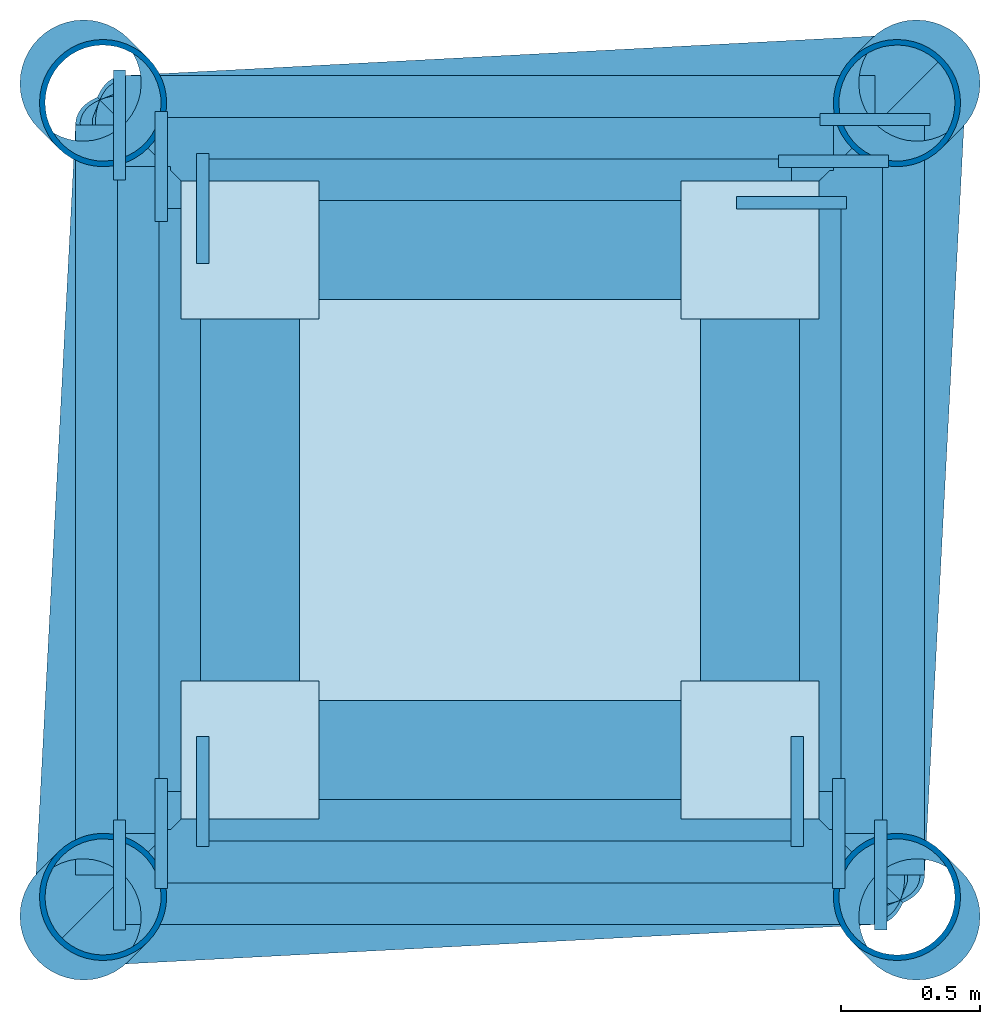
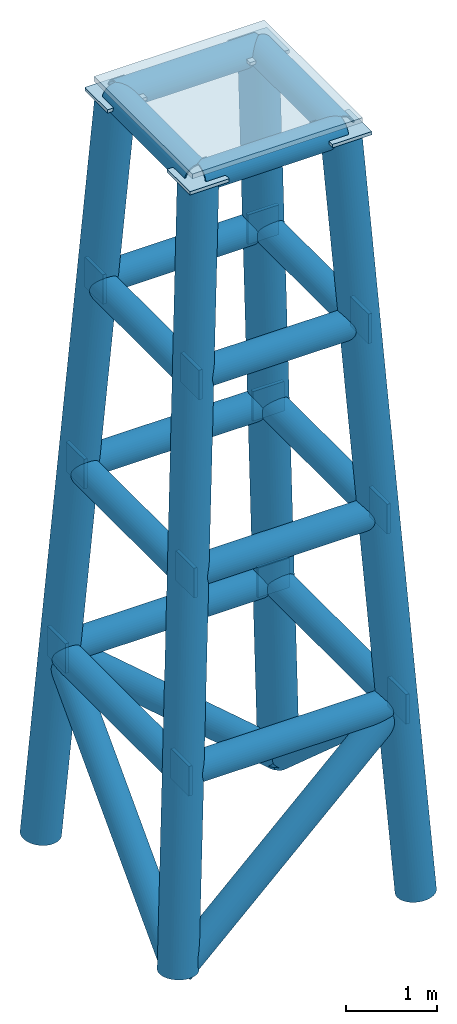
# One storey: 17 plates, 16 beams, 4 columns, 4 members.
"""IFC4 building model written with IfcOpenShell, lengths in metres."""

from ifc_helpers import new_model, si_unit, direction, frame, origin, origin_2d, place, context, subcontext, project, spatial, rectangle, hollow_circle, extrude, material, layer, layer_set, material_profile, profile_set, type_object, element, save


model = new_model("IFC4")

# Units and contexts
model_context = context("Model", 3, precision=1e-05, world=origin(), true_north=direction((0.0, 1.0)))
body_context = subcontext(model_context, "Body", "Model", "MODEL_VIEW")
ifc_project = project(units=[si_unit("LENGTHUNIT", "METRE"), si_unit("AREAUNIT", "SQUARE_METRE"), si_unit("VOLUMEUNIT", "CUBIC_METRE"), si_unit("PLANEANGLEUNIT", "RADIAN"), si_unit("MASSUNIT", "GRAM", prefix="KILO")], contexts=[model_context])

# Site, building, storey
site_placement = place(None, origin())
site = spatial("IfcSite", under=ifc_project, at=site_placement, CompositionType="ELEMENT")
building_placement = place(site_placement, origin())
building = spatial("IfcBuilding", under=site, at=building_placement, Name="Cobrela Telecom Tower", CompositionType="ELEMENT")
storey_placement = place(building_placement, frame((0.0, 0.0, 325.199951171875)))
storey = spatial("IfcBuildingStorey", under=building, at=storey_placement, Name="RF-M2", CompositionType="ELEMENT", Elevation=325.199951171875)

# Columns
ifc_material = material(Name="Steel ASTM A572 Grade 50", Category="steel")
ifc_material_profile_1 = material_profile(ifc_material, hollow_circle(Radius=0.228515625, WallThickness=0.02001953125, at=origin_2d()), Name="CHS 457x20")
ifc_profile_set_1 = profile_set([ifc_material_profile_1], Name="Steel ASTM A572 Grade 50")
column_type = type_object("IfcColumnType", Name="COL-MAST-HI", PredefinedType="COLUMN", material=ifc_profile_set_1)
for number, where, z_axis, x_axis, name in (
    (1, (5.699951171875, 20.10009765625, 0.0), (0.059794907486, 0.059770580836, 0.99641961377), (-0.706962899457, 0.707250633645, 0.0), "RF-M2 Broadcast Lattice Mast Leg 1"),
    (2, (8.699951171875, 20.10009765625, 0.0), (-0.059770667761, 0.059770667761, 0.99642106288), (-0.707106781187, -0.707106781187, 0.0), "RF-M2 Broadcast Lattice Mast Leg 2"),
    (3, (8.699951171875, 23.10009765625, 0.0), (-0.059770580836, -0.059794907486, 0.99641961377), (0.707250633645, -0.706962899457, 0.0), "RF-M2 Broadcast Lattice Mast Leg 3"),
    (4, (5.699951171875, 23.10009765625, 0.0), (0.059794820526, -0.059794820526, 0.996418164666), (0.707106781187, 0.707106781187, 0.0), "RF-M2 Broadcast Lattice Mast Leg 4"),
):
    element("IfcColumn", number, at=place(storey_placement, frame(where, z_axis=z_axis, x_axis=x_axis)), inside=storey, type_object=column_type, Name=name, PredefinedType="COLUMN", context=body_context, shape_type="SweptSolid", body=[
        extrude(hollow_circle(Radius=0.228515625, WallThickness=0.02001953125, at=origin_2d()), origin(), (0.0, 0.0, 1.0), 10.035888671875),
    ])

# Beams
ifc_material_profile_2 = material_profile(ifc_material, hollow_circle(Radius=0.177978515625, WallThickness=0.01611328125, at=origin_2d()), Name="CHS 356x16")
ifc_profile_set_2 = profile_set([ifc_material_profile_2], Name="Steel ASTM A572 Grade 50")
beam_type = type_object("IfcBeamType", Name="BM-MAST-RING", PredefinedType="BEAM", material=ifc_profile_set_2)
for number, where, z_axis, x_axis, name in (
    (5, (5.85009765625, 20.25, 2.5), (1.0, 0.0, 0.0), (0.0, 1.0, 0.0), "RF-M2 Broadcast Lattice Mast Ring 1.1"),
    (6, (8.550048828125, 20.25, 2.5), (0.0, 1.0, 0.0), (-1.0, 0.0, 0.0), "RF-M2 Broadcast Lattice Mast Ring 1.2"),
    (7, (8.550048828125, 22.949951171875, 2.5), (-1.0, 0.0, 0.0), (0.0, -1.0, 0.0), "RF-M2 Broadcast Lattice Mast Ring 1.3"),
    (8, (5.85009765625, 22.949951171875, 2.5), (0.0, -1.0, 0.0), (1.0, 0.0, 0.0), "RF-M2 Broadcast Lattice Mast Ring 1.4"),
):
    element("IfcBeam", number, at=place(storey_placement, frame(where, z_axis=z_axis, x_axis=x_axis)), inside=storey, type_object=beam_type, Name=name, PredefinedType="BEAM", context=body_context, shape_type="SweptSolid", body=[
        extrude(hollow_circle(Radius=0.177978515625, WallThickness=0.01611328125, at=origin_2d()), origin(), (0.0, 0.0, 1.0), 2.699951171875),
    ])
beam_1_placement = place(storey_placement, frame((6.0, 20.39990234375, 5.0), z_axis=(1.0, 0.0, 0.0), x_axis=(0.0, 1.0, 0.0)))
element("IfcBeam", 9, at=beam_1_placement, inside=storey, type_object=beam_type, Name="RF-M2 Broadcast Lattice Mast Ring 2.1", PredefinedType="BEAM", context=body_context, shape_type="SweptSolid", body=[
    extrude(hollow_circle(Radius=0.177978515625, WallThickness=0.01611328125, at=origin_2d()), origin(), (0.0, 0.0, 1.0), 2.39990234375),
])
beam_2_placement = place(storey_placement, frame((8.39990234375, 20.39990234375, 5.0), z_axis=(0.0, 1.0, 0.0), x_axis=(-1.0, 0.0, 0.0)))
element("IfcBeam", 10, at=beam_2_placement, inside=storey, type_object=beam_type, Name="RF-M2 Broadcast Lattice Mast Ring 2.2", PredefinedType="BEAM", context=body_context, shape_type="SweptSolid", body=[
    extrude(hollow_circle(Radius=0.177978515625, WallThickness=0.01611328125, at=origin_2d()), origin(), (0.0, 0.0, 1.0), 2.400146484375),
])
beam_3_placement = place(storey_placement, frame((8.39990234375, 22.800048828125, 5.0), z_axis=(-1.0, 0.0, 0.0), x_axis=(0.0, -1.0, 0.0)))
element("IfcBeam", 11, at=beam_3_placement, inside=storey, type_object=beam_type, Name="RF-M2 Broadcast Lattice Mast Ring 2.3", PredefinedType="BEAM", context=body_context, shape_type="SweptSolid", body=[
    extrude(hollow_circle(Radius=0.177978515625, WallThickness=0.01611328125, at=origin_2d()), origin(), (0.0, 0.0, 1.0), 2.39990234375),
])
beam_4_placement = place(storey_placement, frame((6.0, 22.800048828125, 5.0), z_axis=(0.0, -1.0, 0.0), x_axis=(1.0, 0.0, 0.0)))
element("IfcBeam", 12, at=beam_4_placement, inside=storey, type_object=beam_type, Name="RF-M2 Broadcast Lattice Mast Ring 2.4", PredefinedType="BEAM", context=body_context, shape_type="SweptSolid", body=[
    extrude(hollow_circle(Radius=0.177978515625, WallThickness=0.01611328125, at=origin_2d()), origin(), (0.0, 0.0, 1.0), 2.400146484375),
])
beam_5_placement = place(storey_placement, frame((6.14990234375, 20.550048828125, 7.5), z_axis=(1.0, 0.0, 0.0), x_axis=(0.0, 1.0, 0.0)))
element("IfcBeam", 13, at=beam_5_placement, inside=storey, type_object=beam_type, Name="RF-M2 Broadcast Lattice Mast Ring 3.1", PredefinedType="BEAM", context=body_context, shape_type="SweptSolid", body=[
    extrude(hollow_circle(Radius=0.177978515625, WallThickness=0.01611328125, at=origin_2d()), origin(), (0.0, 0.0, 1.0), 2.10009765625),
])
beam_6_placement = place(storey_placement, frame((8.25, 20.550048828125, 7.5), z_axis=(0.0, 1.0, 0.0), x_axis=(-1.0, 0.0, 0.0)))
element("IfcBeam", 14, at=beam_6_placement, inside=storey, type_object=beam_type, Name="RF-M2 Broadcast Lattice Mast Ring 3.2", PredefinedType="BEAM", context=body_context, shape_type="SweptSolid", body=[
    extrude(hollow_circle(Radius=0.177978515625, WallThickness=0.01611328125, at=origin_2d()), origin(), (0.0, 0.0, 1.0), 2.099853515625),
])
beam_7_placement = place(storey_placement, frame((8.25, 22.64990234375, 7.5), z_axis=(-1.0, 0.0, 0.0), x_axis=(0.0, -1.0, 0.0)))
element("IfcBeam", 15, at=beam_7_placement, inside=storey, type_object=beam_type, Name="RF-M2 Broadcast Lattice Mast Ring 3.3", PredefinedType="BEAM", context=body_context, shape_type="SweptSolid", body=[
    extrude(hollow_circle(Radius=0.177978515625, WallThickness=0.01611328125, at=origin_2d()), origin(), (0.0, 0.0, 1.0), 2.10009765625),
])
beam_8_placement = place(storey_placement, frame((6.14990234375, 22.64990234375, 7.5), z_axis=(0.0, -1.0, 0.0), x_axis=(1.0, 0.0, 0.0)))
element("IfcBeam", 16, at=beam_8_placement, inside=storey, type_object=beam_type, Name="RF-M2 Broadcast Lattice Mast Ring 3.4", PredefinedType="BEAM", context=body_context, shape_type="SweptSolid", body=[
    extrude(hollow_circle(Radius=0.177978515625, WallThickness=0.01611328125, at=origin_2d()), origin(), (0.0, 0.0, 1.0), 2.099853515625),
])
for number, where, z_axis, x_axis, name in (
    (17, (6.300048828125, 20.699951171875, 10.0), (1.0, 0.0, 0.0), (0.0, 1.0, 0.0), "RF-M2 Broadcast Lattice Mast Ring 4.1"),
    (18, (8.10009765625, 20.699951171875, 10.0), (0.0, 1.0, 0.0), (-1.0, 0.0, 0.0), "RF-M2 Broadcast Lattice Mast Ring 4.2"),
    (19, (8.10009765625, 22.5, 10.0), (-1.0, 0.0, 0.0), (0.0, -1.0, 0.0), "RF-M2 Broadcast Lattice Mast Ring 4.3"),
    (20, (6.300048828125, 22.5, 10.0), (0.0, -1.0, 0.0), (1.0, 0.0, 0.0), "RF-M2 Broadcast Lattice Mast Ring 4.4"),
):
    element("IfcBeam", number, at=place(storey_placement, frame(where, z_axis=z_axis, x_axis=x_axis)), inside=storey, type_object=beam_type, Name=name, PredefinedType="BEAM", context=body_context, shape_type="SweptSolid", body=[
        extrude(hollow_circle(Radius=0.177978515625, WallThickness=0.01611328125, at=origin_2d()), origin(), (0.0, 0.0, 1.0), 1.800048828125),
    ])

# Members
ifc_material_profile_3 = material_profile(ifc_material, hollow_circle(Radius=0.177978515625, WallThickness=0.01611328125, at=origin_2d()), Name="CHS 356x16")
ifc_profile_set_3 = profile_set([ifc_material_profile_3], Name="Steel ASTM A572 Grade 50")
member_type = type_object("IfcMemberType", Name="MBR-MAST-BRC", PredefinedType="BRACE", material=ifc_profile_set_3)
for number, where, z_axis, x_axis, name in (
    (21, (5.699951171875, 20.10009765625, 0.0), (0.751183346732, 0.039508872271, 0.658910182502), (-0.052522914814, 0.998619719122, 0.0), "RF-M2 Broadcast Lattice Mast Brace 1.1"),
    (22, (8.699951171875, 23.10009765625, 0.0), (-0.039508872271, -0.751183346732, 0.658910182502), (0.998619719122, -0.052522914814, 0.0), "RF-M2 Broadcast Lattice Mast Brace 1.2"),
):
    element("IfcMember", number, at=place(storey_placement, frame(where, z_axis=z_axis, x_axis=x_axis)), inside=storey, type_object=member_type, Name=name, PredefinedType="BRACE", context=body_context, shape_type="SweptSolid", body=[
        extrude(hollow_circle(Radius=0.177978515625, WallThickness=0.01611328125, at=origin_2d()), origin(), (0.0, 0.0, 1.0), 3.794189453125),
    ])
for number, where, z_axis, x_axis, name in (
    (23, (8.699951171875, 23.10009765625, 0.0), (-0.751153395956, -0.039575031141, 0.658940355915), (0.052612714819, -0.998614991996, 0.0), "RF-M2 Broadcast Lattice Mast Brace 1.3"),
    (24, (5.699951171875, 20.10009765625, 0.0), (0.039575031141, 0.751153395956, 0.658940355915), (-0.998614991996, 0.052612714819, 0.0), "RF-M2 Broadcast Lattice Mast Brace 1.4"),
):
    element("IfcMember", number, at=place(storey_placement, frame(where, z_axis=z_axis, x_axis=x_axis)), inside=storey, type_object=member_type, Name=name, PredefinedType="BRACE", context=body_context, shape_type="SweptSolid", body=[
        extrude(hollow_circle(Radius=0.177978515625, WallThickness=0.01611328125, at=origin_2d()), origin(), (0.0, 0.0, 1.0), 3.7939453125),
    ])

# Plates
ifc_layer_1 = layer(ifc_material, 0.06494140625)
ifc_layer_set_1 = layer_set([ifc_layer_1], Name="Steel ASTM A572 Grade 50")
plate_type_1 = type_object("IfcPlateType", Name="PLT-MAST-BASE-65", PredefinedType="USERDEFINED", material=ifc_layer_set_1)
plate_placement = place(storey_placement, frame((7.199951171875, 21.60009765625, 10.142578125), z_axis=(0.0, 0.0, 1.0), x_axis=(1.0, 0.0, 0.0)))
element("IfcPlate", 25, at=plate_placement, inside=storey, type_object=plate_type_1, Name="Broadcast Lattice Mast Top Equipment Cap Plate", ObjectType="BASE PLATE", PredefinedType="USERDEFINED", context=body_context, shape_type="SweptSolid", body=[
    extrude(rectangle(XDim=2.14990234375, YDim=2.14990234375, at=origin_2d()), origin(), (0.0, 0.0, 1.0), 0.06494140625),
])
ifc_layer_2 = layer(ifc_material, 0.0458984375)
ifc_layer_set_2 = layer_set([ifc_layer_2], Name="Steel ASTM A572 Grade 50")
plate_type_2 = type_object("IfcPlateType", Name="PLT-NODE-ND13", PredefinedType="USERDEFINED", material=ifc_layer_set_2)
for number, where, z_axis, x_axis, name in (
    (26, (6.300048828125, 20.699951171875, 9.99755859375), (0.0, 0.0, 1.0), (1.0, 0.0, 0.0), "Steel node plate PLT-COL-MAST-RF-M2-L1-1"),
    (27, (8.10009765625, 20.699951171875, 9.99755859375), (0.0, 0.0, 1.0), (1.0, 0.0, 0.0), "Steel node plate PLT-COL-MAST-RF-M2-L2-1"),
    (28, (8.10009765625, 22.5, 9.99755859375), (0.0, 0.0, 1.0), (1.0, 0.0, 0.0), "Steel node plate PLT-COL-MAST-RF-M2-L3-1"),
    (29, (6.300048828125, 22.5, 9.99755859375), (0.0, 0.0, 1.0), (1.0, 0.0, 0.0), "Steel node plate PLT-COL-MAST-RF-M2-L4-1"),
):
    element("IfcPlate", number, at=place(storey_placement, frame(where, z_axis=z_axis, x_axis=x_axis)), inside=storey, type_object=plate_type_2, Name=name, ObjectType="GUSSET PLATE", PredefinedType="USERDEFINED", context=body_context, shape_type="SweptSolid", body=[
        extrude(rectangle(XDim=0.4970703125, YDim=0.4970703125, at=origin_2d()), origin(), (0.0, 0.0, 1.0), 0.044921875),
    ])
for number, where, z_axis, x_axis, name in (
    (30, (5.830078125, 20.25, 2.302001953125), (0.0, 0.0, 1.0), (1.0, 0.0, 0.0), "Steel node plate PLT-BM-MAST-RF-M2-R1-1-0"),
    (31, (8.570068359375, 20.25, 2.302001953125), (0.0, 0.0, 1.0), (1.0, 0.0, 0.0), "Steel node plate PLT-BM-MAST-RF-M2-R1-1-1"),
    (32, (8.550048828125, 22.969970703125, 2.302001953125), (0.0, 0.0, 1.0), (0.0, 1.0, 0.0), "Steel node plate PLT-BM-MAST-RF-M2-R1-2-1"),
    (33, (5.830078125, 22.949951171875, 2.302001953125), (0.0, 0.0, 1.0), (-1.0, 0.0, 0.0), "Steel node plate PLT-BM-MAST-RF-M2-R1-3-1"),
    (34, (5.97998046875, 20.39990234375, 4.802001953125), (0.0, 0.0, 1.0), (1.0, 0.0, 0.0), "Steel node plate PLT-BM-MAST-RF-M2-R2-1-0"),
    (35, (8.419921875, 20.39990234375, 4.802001953125), (0.0, 0.0, 1.0), (1.0, 0.0, 0.0), "Steel node plate PLT-BM-MAST-RF-M2-R2-1-1"),
    (36, (8.39990234375, 22.820068359375, 4.802001953125), (0.0, 0.0, 1.0), (0.0, 1.0, 0.0), "Steel node plate PLT-BM-MAST-RF-M2-R2-2-1"),
    (37, (5.97998046875, 22.800048828125, 4.802001953125), (0.0, 0.0, 1.0), (-1.0, 0.0, 0.0), "Steel node plate PLT-BM-MAST-RF-M2-R2-3-1"),
    (38, (6.1298828125, 20.550048828125, 7.302001953125), (0.0, 0.0, 1.0), (1.0, 0.0, 0.0), "Steel node plate PLT-BM-MAST-RF-M2-R3-1-0"),
    (39, (8.27001953125, 20.550048828125, 7.302001953125), (0.0, 0.0, 1.0), (1.0, 0.0, 0.0), "Steel node plate PLT-BM-MAST-RF-M2-R3-1-1"),
    (40, (8.25, 22.669921875, 7.302001953125), (0.0, 0.0, 1.0), (0.0, 1.0, 0.0), "Steel node plate PLT-BM-MAST-RF-M2-R3-2-1"),
    (41, (6.1298828125, 22.64990234375, 7.302001953125), (0.0, 0.0, 1.0), (-1.0, 0.0, 0.0), "Steel node plate PLT-BM-MAST-RF-M2-R3-3-1"),
):
    element("IfcPlate", number, at=place(storey_placement, frame(where, z_axis=z_axis, x_axis=x_axis)), inside=storey, type_object=plate_type_2, Name=name, ObjectType="GUSSET PLATE", PredefinedType="USERDEFINED", context=body_context, shape_type="SweptSolid", body=[
        extrude(rectangle(XDim=0.044921875, YDim=0.39599609375, at=origin_2d()), origin(), (0.0, 0.0, 1.0), 0.39599609375),
    ])

save(model, "model.ifc")
